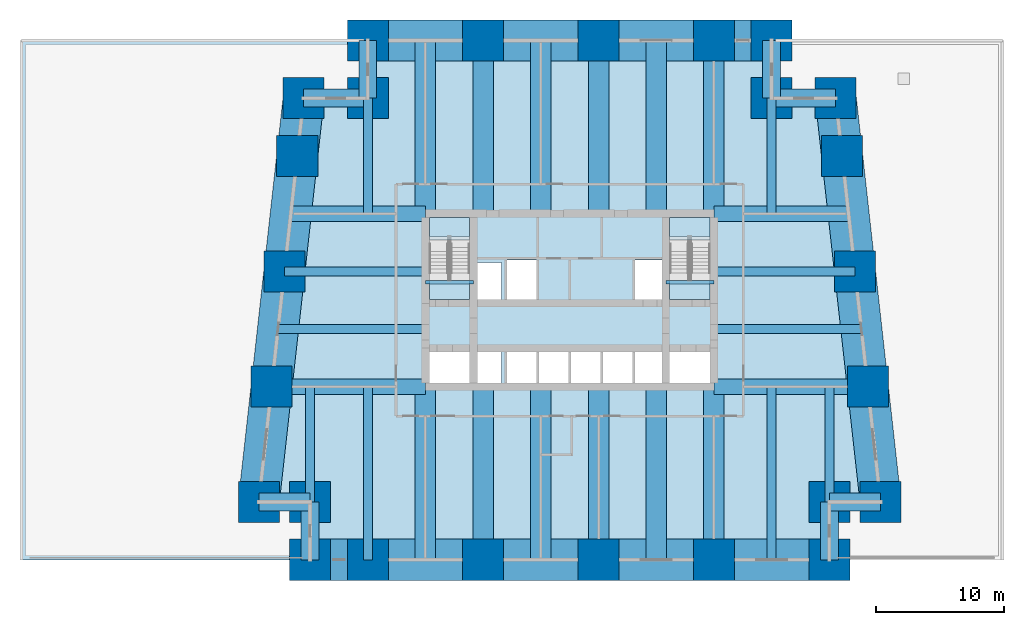
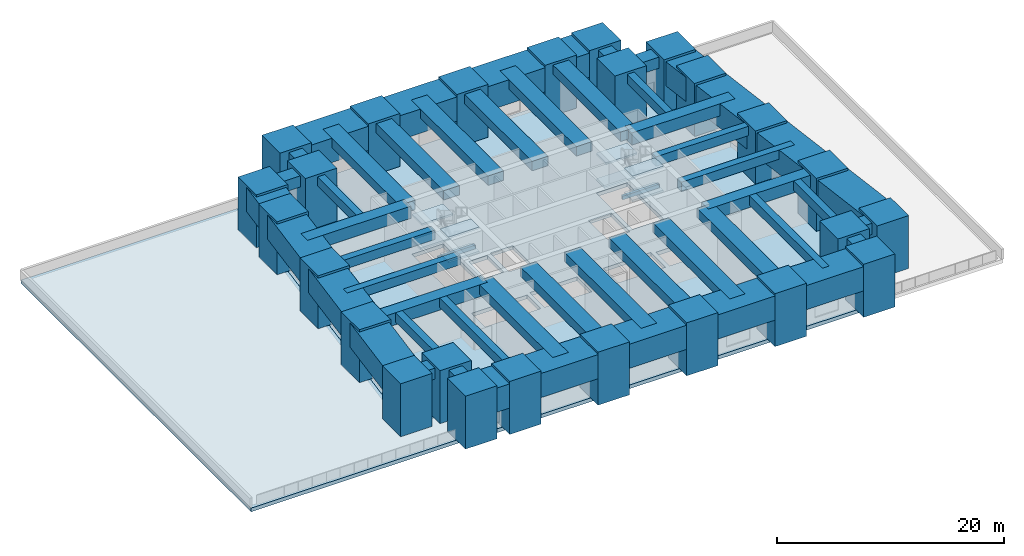
# One storey, part 1 of 7: 53 beams, 25 columns, 10 slabs, 2 elements without a shape of their own.
"""IFC4 building model written with IfcOpenShell, lengths in metres."""

from ifc_helpers import new_model, si_unit, direction, frame, origin, origin_2d, place, context, subcontext, project, spatial, polyline, rectangle, outline, extrude, material, layer, layer_set, material_profile, profile_set, type_object, element, aggregate, save


model = new_model("IFC4")

# Units and contexts
model_context = context("Model", 3, precision=1e-05, world=origin(), true_north=direction((0.0, 1.0)))
body_context = subcontext(model_context, "Body", "Model", "MODEL_VIEW")
ifc_project = project(units=[si_unit("LENGTHUNIT", "METRE"), si_unit("AREAUNIT", "SQUARE_METRE"), si_unit("VOLUMEUNIT", "CUBIC_METRE"), si_unit("PLANEANGLEUNIT", "RADIAN"), si_unit("MASSUNIT", "GRAM", prefix="KILO")], contexts=[model_context])

# Site, building, storey
site_placement = place(None, origin())
site = spatial("IfcSite", under=ifc_project, at=site_placement, CompositionType="ELEMENT")
building_placement = place(site_placement, origin())
building = spatial("IfcBuilding", under=site, at=building_placement, Name="Kilele Tower Hotel", CompositionType="ELEMENT")
storey_placement = place(building_placement, frame((0.0, 0.0, 24.0)))
storey = spatial("IfcBuildingStorey", under=building, at=storey_placement, Name="L04", CompositionType="ELEMENT", Elevation=24.0)

# Columns
ifc_material_1 = material(Name="Concrete C80/95", Category="concrete")
ifc_material_profile_1 = material_profile(ifc_material_1, rectangle(XDim=3.199951171875, YDim=3.199951171875, at=origin_2d()))
ifc_profile_set_1 = profile_set([ifc_material_profile_1], Name="Concrete C80/95")
column_type = type_object("IfcColumnType", Name="Mega column RC 3200x3200 C80/95", PredefinedType="COLUMN", material=ifc_profile_set_1)
for number, where, z_axis, x_axis, name in (
    (1, (0.5, 4.5, 0.0), (0.0, 0.0, 1.0), (1.0, 0.0, 0.0), "Column MC1 L04"),
    (2, (4.5, 4.5, 0.0), (0.0, 0.0, 1.0), (1.0, 0.0, 0.0), "Column MC1 L04"),
    (3, (4.5, 0.0, 0.0), (0.0, 0.0, 1.0), (1.0, 0.0, 0.0), "Column MC1 L04"),
    (4, (9.0, 0.0, 0.0), (0.0, 0.0, 1.0), (1.0, 0.0, 0.0), "Column MC1 L04"),
    (5, (18.0, 0.0, 0.0), (0.0, 0.0, 1.0), (1.0, 0.0, 0.0), "Column MC1 L04"),
    (6, (27.0, 0.0, 0.0), (0.0, 0.0, 1.0), (1.0, 0.0, 0.0), "Column MC1 L04"),
    (7, (36.0, 0.0, 0.0), (0.0, 0.0, 1.0), (1.0, 0.0, 0.0), "Column MC1 L04"),
    (8, (45.0, 0.0, 0.0), (0.0, 0.0, 1.0), (1.0, 0.0, 0.0), "Column MC1 L04"),
    (9, (45.0, 4.5, 0.0), (0.0, 0.0, 1.0), (1.0, 0.0, 0.0), "Column MC1 L04"),
    (10, (49.0, 4.5, 0.0), (0.0, 0.0, 1.0), (1.0, 0.0, 0.0), "Column MC1 L04"),
    (11, (48.0, 13.5, 0.0), (0.0, 0.0, 1.0), (1.0, 0.0, 0.0), "Column MC1 L04"),
    (12, (47.0, 22.5, 0.0), (0.0, 0.0, 1.0), (1.0, 0.0, 0.0), "Column MC1 L04"),
    (13, (46.0, 31.5, 0.0), (0.0, 0.0, 1.0), (1.0, 0.0, 0.0), "Column MC1 L04"),
    (14, (45.5, 36.0, 0.0), (0.0, 0.0, 1.0), (1.0, 0.0, 0.0), "Column MC1 L04"),
    (15, (40.5, 36.0, 0.0), (0.0, 0.0, 1.0), (1.0, 0.0, 0.0), "Column MC1 L04"),
    (16, (40.5, 40.5, 0.0), (0.0, 0.0, 1.0), (1.0, 0.0, 0.0), "Column MC1 L04"),
    (17, (36.0, 40.5, 0.0), (0.0, 0.0, 1.0), (1.0, 0.0, 0.0), "Column MC1 L04"),
    (18, (27.0, 40.5, 0.0), (0.0, 0.0, 1.0), (1.0, 0.0, 0.0), "Column MC1 L04"),
    (19, (18.0, 40.5, 0.0), (0.0, 0.0, 1.0), (1.0, 0.0, 0.0), "Column MC1 L04"),
    (20, (9.0, 40.5, 0.0), (0.0, 0.0, 1.0), (1.0, 0.0, 0.0), "Column MC1 L04"),
    (21, (9.0, 36.0, 0.0), (0.0, 0.0, 1.0), (1.0, 0.0, 0.0), "Column MC1 L04"),
    (22, (4.0, 36.0, 0.0), (0.0, 0.0, 1.0), (1.0, 0.0, 0.0), "Column MC1 L04"),
    (23, (3.5, 31.5, 0.0), (0.0, 0.0, 1.0), (1.0, 0.0, 0.0), "Column MC1 L04"),
    (24, (2.5, 22.5, 0.0), (0.0, 0.0, 1.0), (1.0, 0.0, 0.0), "Column MC1 L04"),
    (25, (1.5, 13.5, 0.0), (0.0, 0.0, 1.0), (1.0, 0.0, 0.0), "Column MC1 L04"),
):
    element("IfcColumn", number, at=place(storey_placement, frame(where, z_axis=z_axis, x_axis=x_axis)), inside=storey, type_object=column_type, Name=name, PredefinedType="COLUMN", context=body_context, shape_type="SweptSolid", body=[
        extrude(rectangle(XDim=3.199951171875, YDim=3.199951171875, at=origin_2d()), origin(), (0.0, 0.0, 1.0), 5.699951171875),
    ])

# Beams
ifc_material_2 = material(Name="Concrete C60/75", Category="concrete")
ifc_material_profile_2 = material_profile(ifc_material_2, rectangle(XDim=1.60009765625, YDim=1.0, at=origin_2d()))
ifc_profile_set_2 = profile_set([ifc_material_profile_2], Name="Concrete C60/75")
beam_type_1 = type_object("IfcBeamType", Name="Beam RC 1600x1000 C60/75", PredefinedType="BEAM", material=ifc_profile_set_2)
for number, where, z_axis, x_axis, name in (
    (26, (13.5, 0.0, 4.949951171875), (0.0, 1.0, 0.0), (-1.0, 0.0, 0.0), "Beam BC1 level L05"),
    (27, (18.0, 0.0, 4.949951171875), (0.0, 1.0, 0.0), (-1.0, 0.0, 0.0), "Beam BC1 level L05"),
    (28, (22.5, 0.0, 4.949951171875), (0.0, 1.0, 0.0), (-1.0, 0.0, 0.0), "Beam BC1 level L05"),
    (29, (27.0, 0.0, 4.949951171875), (0.0, 1.0, 0.0), (-1.0, 0.0, 0.0), "Beam BC1 level L05"),
    (30, (31.5, 0.0, 4.949951171875), (0.0, 1.0, 0.0), (-1.0, 0.0, 0.0), "Beam BC1 level L05"),
    (31, (36.0, 0.0, 4.949951171875), (0.0, 1.0, 0.0), (-1.0, 0.0, 0.0), "Beam BC1 level L05"),
    (32, (36.0, 40.5, 4.949951171875), (0.0, -1.0, 0.0), (1.0, 0.0, 0.0), "Beam BC1 level L05"),
    (33, (31.5, 40.5, 4.949951171875), (0.0, -1.0, 0.0), (1.0, 0.0, 0.0), "Beam BC1 level L05"),
    (34, (27.0, 40.5, 4.949951171875), (0.0, -1.0, 0.0), (1.0, 0.0, 0.0), "Beam BC1 level L05"),
    (35, (22.5, 40.5, 4.949951171875), (0.0, -1.0, 0.0), (1.0, 0.0, 0.0), "Beam BC1 level L05"),
    (36, (18.0, 40.5, 4.949951171875), (0.0, -1.0, 0.0), (1.0, 0.0, 0.0), "Beam BC1 level L05"),
    (37, (13.5, 40.5, 4.949951171875), (0.0, -1.0, 0.0), (1.0, 0.0, 0.0), "Beam BC1 level L05"),
):
    element("IfcBeam", number, at=place(storey_placement, frame(where, z_axis=z_axis, x_axis=x_axis)), inside=storey, type_object=beam_type_1, Name=name, PredefinedType="BEAM", context=body_context, shape_type="SweptSolid", body=[
        extrude(rectangle(XDim=1.60009765625, YDim=1.0, at=origin_2d()), origin(), (0.0, 0.0, 1.0), 13.5),
    ])
ifc_material_3 = material(Name="Concrete C60/75", Category="concrete")
ifc_material_profile_3 = material_profile(ifc_material_3, rectangle(XDim=0.699951171875, YDim=1.0, at=origin_2d()))
ifc_profile_set_3 = profile_set([ifc_material_profile_3], Name="Concrete C60/75")
beam_type_2 = type_object("IfcBeamType", Name="Beam RC 700x1000 C60/75", PredefinedType="BEAM", material=ifc_profile_set_3)
for number, where, z_axis, x_axis, name in (
    (38, (9.0, 0.0, 4.949951171875), (0.0, 1.0, 0.0), (-1.0, 0.0, 0.0), "Beam B4 level L05"),
    (39, (40.5, 0.0, 4.949951171875), (0.0, 1.0, 0.0), (-1.0, 0.0, 0.0), "Beam B4 level L05"),
):
    element("IfcBeam", number, at=place(storey_placement, frame(where, z_axis=z_axis, x_axis=x_axis)), inside=storey, type_object=beam_type_2, Name=name, PredefinedType="BEAM", context=body_context, shape_type="SweptSolid", body=[
        extrude(rectangle(XDim=0.699951171875, YDim=1.0, at=origin_2d()), origin(), (0.0, 0.0, 1.0), 13.5),
    ])
ifc_material_4 = material(Name="Concrete C60/75", Category="concrete")
ifc_material_profile_4 = material_profile(ifc_material_4, rectangle(XDim=0.699951171875, YDim=1.0, at=origin_2d()))
ifc_profile_set_4 = profile_set([ifc_material_profile_4], Name="Concrete C60/75")
beam_type_3 = type_object("IfcBeamType", Name="Beam RC 700x1000 C60/75 mid span", PredefinedType="BEAM", material=ifc_profile_set_4)
for number, where, z_axis, x_axis, name in (
    (40, (4.5, 4.5, 4.949951171875), (0.0, 1.0, 0.0), (-1.0, 0.0, 0.0), "Beam B5 level L05"),
    (41, (45.0, 4.5, 4.949951171875), (0.0, 1.0, 0.0), (-1.0, 0.0, 0.0), "Beam B5 level L05"),
):
    element("IfcBeam", number, at=place(storey_placement, frame(where, z_axis=z_axis, x_axis=x_axis)), inside=storey, type_object=beam_type_3, Name=name, PredefinedType="BEAM", context=body_context, shape_type="SweptSolid", body=[
        extrude(rectangle(XDim=0.699951171875, YDim=1.0, at=origin_2d()), origin(), (0.0, 0.0, 1.0), 9.0),
    ])
beam_1_placement = place(storey_placement, frame((47.5, 18.0, 4.949951171875), z_axis=(-1.0, 0.0, 0.0), x_axis=(0.0, -1.0, 0.0)))
element("IfcBeam", 42, at=beam_1_placement, inside=storey, type_object=beam_type_3, Name="Beam B5 level L05", PredefinedType="BEAM", context=body_context, shape_type="SweptSolid", body=[
    extrude(rectangle(XDim=0.699951171875, YDim=1.0, at=origin_2d()), origin(), (0.0, 0.0, 1.0), 11.5),
])
beam_2_placement = place(storey_placement, frame((47.0, 22.5, 4.949951171875), z_axis=(-1.0, 0.0, 0.0), x_axis=(0.0, -1.0, 0.0)))
element("IfcBeam", 43, at=beam_2_placement, inside=storey, type_object=beam_type_3, Name="Beam B5 level L05", PredefinedType="BEAM", context=body_context, shape_type="SweptSolid", body=[
    extrude(rectangle(XDim=0.699951171875, YDim=1.0, at=origin_2d()), origin(), (0.0, 0.0, 1.0), 11.0),
])
for number, where, z_axis, x_axis, name in (
    (44, (40.5, 36.0, 4.949951171875), (0.0, -1.0, 0.0), (1.0, 0.0, 0.0), "Beam B5 level L05"),
    (45, (9.0, 36.0, 4.949951171875), (0.0, -1.0, 0.0), (1.0, 0.0, 0.0), "Beam B5 level L05"),
):
    element("IfcBeam", number, at=place(storey_placement, frame(where, z_axis=z_axis, x_axis=x_axis)), inside=storey, type_object=beam_type_3, Name=name, PredefinedType="BEAM", context=body_context, shape_type="SweptSolid", body=[
        extrude(rectangle(XDim=0.699951171875, YDim=1.0, at=origin_2d()), origin(), (0.0, 0.0, 1.0), 9.0),
    ])
beam_3_placement = place(storey_placement, frame((2.5, 22.5, 4.949951171875), z_axis=(1.0, 0.0, 0.0), x_axis=(0.0, 1.0, 0.0)))
element("IfcBeam", 46, at=beam_3_placement, inside=storey, type_object=beam_type_3, Name="Beam B5 level L05", PredefinedType="BEAM", context=body_context, shape_type="SweptSolid", body=[
    extrude(rectangle(XDim=0.699951171875, YDim=1.0, at=origin_2d()), origin(), (0.0, 0.0, 1.0), 11.0),
])
beam_4_placement = place(storey_placement, frame((2.0, 18.0, 4.949951171875), z_axis=(1.0, 0.0, 0.0), x_axis=(0.0, 1.0, 0.0)))
element("IfcBeam", 47, at=beam_4_placement, inside=storey, type_object=beam_type_3, Name="Beam B5 level L05", PredefinedType="BEAM", context=body_context, shape_type="SweptSolid", body=[
    extrude(rectangle(XDim=0.699951171875, YDim=1.0, at=origin_2d()), origin(), (0.0, 0.0, 1.0), 11.5),
])
ifc_material_5 = material(Name="Concrete C60/75", Category="concrete")
ifc_material_profile_5 = material_profile(ifc_material_5, rectangle(XDim=1.199951171875, YDim=1.300048828125, at=origin_2d()))
ifc_profile_set_5 = profile_set([ifc_material_profile_5], Name="Concrete C60/75")
beam_type_4 = type_object("IfcBeamType", Name="Girder RC 1200x1300 C60/75", PredefinedType="BEAM", material=ifc_profile_set_5)
for number, where, z_axis, x_axis, name in (
    (48, (48.0, 13.5, 4.800048828125), (-1.0, 0.0, 0.0), (0.0, -1.0, 0.0), "Girder G1 level L05"),
    (49, (1.5, 13.5, 4.800048828125), (1.0, 0.0, 0.0), (0.0, 1.0, 0.0), "Girder G1 level L05"),
):
    element("IfcBeam", number, at=place(storey_placement, frame(where, z_axis=z_axis, x_axis=x_axis)), inside=storey, type_object=beam_type_4, Name=name, PredefinedType="BEAM", context=body_context, shape_type="SweptSolid", body=[
        extrude(rectangle(XDim=1.199951171875, YDim=1.300048828125, at=origin_2d()), origin(), (0.0, 0.0, 1.0), 12.0),
    ])
ifc_material_6 = material(Name="Concrete C60/75", Category="concrete")
ifc_material_profile_6 = material_profile(ifc_material_6, rectangle(XDim=1.199951171875, YDim=1.300048828125, at=origin_2d()))
ifc_profile_set_6 = profile_set([ifc_material_profile_6], Name="Concrete C60/75")
beam_type_5 = type_object("IfcBeamType", Name="Girder RC 1200x1300 C60/75 mid span", PredefinedType="BEAM", material=ifc_profile_set_6)
for number, where, z_axis, x_axis, name in (
    (50, (46.5, 27.0, 4.800048828125), (-1.0, 0.0, 0.0), (0.0, -1.0, 0.0), "Girder G3 level L05"),
    (51, (3.0, 27.0, 4.800048828125), (1.0, 0.0, 0.0), (0.0, 1.0, 0.0), "Girder G3 level L05"),
):
    element("IfcBeam", number, at=place(storey_placement, frame(where, z_axis=z_axis, x_axis=x_axis)), inside=storey, type_object=beam_type_5, Name=name, PredefinedType="BEAM", context=body_context, shape_type="SweptSolid", body=[
        extrude(rectangle(XDim=1.199951171875, YDim=1.300048828125, at=origin_2d()), origin(), (0.0, 0.0, 1.0), 10.5),
    ])
ifc_material_7 = material(Name="Concrete C40/50", Category="concrete")
ifc_material_profile_7 = material_profile(ifc_material_7, rectangle(XDim=0.25, YDim=0.39990234375, at=origin_2d()))
ifc_profile_set_7 = profile_set([ifc_material_profile_7], Name="Concrete C40/50")
beam_type_6 = type_object("IfcBeamType", Name="Landing beam RC 250x400 C40/50", PredefinedType="BEAM", material=ifc_profile_set_7)
for number, where, z_axis, x_axis, name in (
    (52, (13.5, 21.64990234375, 2.708984375), (1.0, 0.0, 0.0), (0.0, 1.0, 0.0), "Landing beam ST1 L04"),
    (53, (32.25, 21.64990234375, 2.708984375), (1.0, 0.0, 0.0), (0.0, 1.0, 0.0), "Landing beam ST2 L04"),
):
    element("IfcBeam", number, at=place(storey_placement, frame(where, z_axis=z_axis, x_axis=x_axis)), inside=storey, type_object=beam_type_6, Name=name, PredefinedType="BEAM", context=body_context, shape_type="SweptSolid", body=[
        extrude(rectangle(XDim=0.25, YDim=0.39990234375, at=origin_2d()), origin(), (0.0, 0.0, 1.0), 3.75),
    ])
ifc_material_8 = material(Name="Concrete C60/75", Category="concrete")
ifc_material_profile_8 = material_profile(ifc_material_8, rectangle(XDim=1.39990234375, YDim=1.199951171875, at=origin_2d()))
ifc_profile_set_8 = profile_set([ifc_material_profile_8], Name="Concrete C60/75")
beam_type_7 = type_object("IfcBeamType", Name="Spandrel RC 1400x1200 C60/75", PredefinedType="SPANDREL", material=ifc_profile_set_8)
beam_5_placement = place(storey_placement, frame((0.5, 4.5, 4.85009765625), z_axis=(1.0, 0.0, 0.0), x_axis=(0.0, 1.0, 0.0)))
element("IfcBeam", 54, at=beam_5_placement, inside=storey, type_object=beam_type_7, Name="Spandrel SP10 level L05", PredefinedType="SPANDREL", context=body_context, shape_type="SweptSolid", body=[
    extrude(rectangle(XDim=1.39990234375, YDim=1.199951171875, at=origin_2d()), origin(), (0.0, 0.0, 1.0), 4.0),
])
for number, where, z_axis, x_axis, name in (
    (55, (4.5, 4.5, 4.85009765625), (0.0, -1.0, 0.0), (1.0, 0.0, 0.0), "Spandrel SP10 level L05"),
    (56, (45.0, 0.0, 4.85009765625), (0.0, 1.0, 0.0), (-1.0, 0.0, 0.0), "Spandrel SP10 level L05"),
):
    element("IfcBeam", number, at=place(storey_placement, frame(where, z_axis=z_axis, x_axis=x_axis)), inside=storey, type_object=beam_type_7, Name=name, PredefinedType="SPANDREL", context=body_context, shape_type="SweptSolid", body=[
        extrude(rectangle(XDim=1.39990234375, YDim=1.199951171875, at=origin_2d()), origin(), (0.0, 0.0, 1.0), 4.5),
    ])
beam_6_placement = place(storey_placement, frame((45.0, 4.5, 4.85009765625), z_axis=(1.0, 0.0, 0.0), x_axis=(0.0, 1.0, 0.0)))
element("IfcBeam", 57, at=beam_6_placement, inside=storey, type_object=beam_type_7, Name="Spandrel SP10 level L05", PredefinedType="SPANDREL", context=body_context, shape_type="SweptSolid", body=[
    extrude(rectangle(XDim=1.39990234375, YDim=1.199951171875, at=origin_2d()), origin(), (0.0, 0.0, 1.0), 4.0),
])
beam_7_placement = place(storey_placement, frame((45.5, 36.0, 4.85009765625), z_axis=(-1.0, 0.0, 0.0), x_axis=(0.0, -1.0, 0.0)))
element("IfcBeam", 58, at=beam_7_placement, inside=storey, type_object=beam_type_7, Name="Spandrel SP10 level L05", PredefinedType="SPANDREL", context=body_context, shape_type="SweptSolid", body=[
    extrude(rectangle(XDim=1.39990234375, YDim=1.199951171875, at=origin_2d()), origin(), (0.0, 0.0, 1.0), 5.0),
])
for number, where, z_axis, x_axis, name in (
    (59, (40.5, 36.0, 4.85009765625), (0.0, 1.0, 0.0), (-1.0, 0.0, 0.0), "Spandrel SP10 level L05"),
    (60, (9.0, 40.5, 4.85009765625), (0.0, -1.0, 0.0), (1.0, 0.0, 0.0), "Spandrel SP10 level L05"),
):
    element("IfcBeam", number, at=place(storey_placement, frame(where, z_axis=z_axis, x_axis=x_axis)), inside=storey, type_object=beam_type_7, Name=name, PredefinedType="SPANDREL", context=body_context, shape_type="SweptSolid", body=[
        extrude(rectangle(XDim=1.39990234375, YDim=1.199951171875, at=origin_2d()), origin(), (0.0, 0.0, 1.0), 4.5),
    ])
beam_8_placement = place(storey_placement, frame((9.0, 36.0, 4.85009765625), z_axis=(-1.0, 0.0, 0.0), x_axis=(0.0, -1.0, 0.0)))
element("IfcBeam", 61, at=beam_8_placement, inside=storey, type_object=beam_type_7, Name="Spandrel SP10 level L05", PredefinedType="SPANDREL", context=body_context, shape_type="SweptSolid", body=[
    extrude(rectangle(XDim=1.39990234375, YDim=1.199951171875, at=origin_2d()), origin(), (0.0, 0.0, 1.0), 5.0),
])
ifc_material_9 = material(Name="Concrete C60/75", Category="concrete")
ifc_material_profile_9 = material_profile(ifc_material_9, rectangle(XDim=3.199951171875, YDim=2.60009765625, at=origin_2d()))
ifc_profile_set_9 = profile_set([ifc_material_profile_9], Name="Concrete C60/75")
beam_type_8 = type_object("IfcBeamType", Name="Spandrel RC 3200x2600 C60/75", PredefinedType="SPANDREL", material=ifc_profile_set_9)
beam_9_placement = place(storey_placement, frame((4.5, 0.0, 4.14990234375), z_axis=(1.0, 0.0, 0.0), x_axis=(0.0, 1.0, 0.0)))
element("IfcBeam", 62, at=beam_9_placement, inside=storey, type_object=beam_type_8, Name="Spandrel SP17 level L05", PredefinedType="SPANDREL", context=body_context, shape_type="SweptSolid", body=[
    extrude(rectangle(XDim=3.199951171875, YDim=2.60009765625, at=origin_2d()), origin(), (0.0, 0.0, 1.0), 4.5),
])
beam_10_placement = place(storey_placement, frame((46.0, 31.5, 4.14990234375), z_axis=(-0.110431526075, 0.993883734674, 0.0), x_axis=(-0.993883734674, -0.110431526075, 0.0)))
element("IfcBeam", 63, at=beam_10_placement, inside=storey, type_object=beam_type_8, Name="Spandrel SP17 level L05", PredefinedType="SPANDREL", context=body_context, shape_type="SweptSolid", body=[
    extrude(rectangle(XDim=3.199951171875, YDim=2.60009765625, at=origin_2d()), origin(), (0.0, 0.0, 1.0), 4.527587890625),
])
beam_11_placement = place(storey_placement, frame((40.5, 40.5, 4.14990234375), z_axis=(-1.0, 0.0, 0.0), x_axis=(0.0, -1.0, 0.0)))
element("IfcBeam", 64, at=beam_11_placement, inside=storey, type_object=beam_type_8, Name="Spandrel SP17 level L05", PredefinedType="SPANDREL", context=body_context, shape_type="SweptSolid", body=[
    extrude(rectangle(XDim=3.199951171875, YDim=2.60009765625, at=origin_2d()), origin(), (0.0, 0.0, 1.0), 4.5),
])
beam_12_placement = place(storey_placement, frame((4.0, 36.0, 4.14990234375), z_axis=(-0.110431526075, -0.993883734674, 0.0), x_axis=(0.993883734674, -0.110431526075, 0.0)))
element("IfcBeam", 65, at=beam_12_placement, inside=storey, type_object=beam_type_8, Name="Spandrel SP17 level L05", PredefinedType="SPANDREL", context=body_context, shape_type="SweptSolid", body=[
    extrude(rectangle(XDim=3.199951171875, YDim=2.60009765625, at=origin_2d()), origin(), (0.0, 0.0, 1.0), 4.527587890625),
])
ifc_material_10 = material(Name="Concrete C60/75", Category="concrete")
ifc_material_profile_10 = material_profile(ifc_material_10, rectangle(XDim=3.199951171875, YDim=2.60009765625, at=origin_2d()))
ifc_profile_set_10 = profile_set([ifc_material_profile_10], Name="Concrete C60/75")
beam_type_9 = type_object("IfcBeamType", Name="Transfer girder RC 3200x2600 C60/75", PredefinedType="USERDEFINED", material=ifc_profile_set_10)
for number, where, z_axis, x_axis, name in (
    (66, (9.0, 0.0, 4.14990234375), (1.0, 0.0, 0.0), (0.0, 1.0, 0.0), "Transfer girder TG3 level L05"),
    (67, (18.0, 0.0, 4.14990234375), (1.0, 0.0, 0.0), (0.0, 1.0, 0.0), "Transfer girder TG3 level L05"),
    (68, (27.0, 0.0, 4.14990234375), (1.0, 0.0, 0.0), (0.0, 1.0, 0.0), "Transfer girder TG3 level L05"),
    (69, (36.0, 0.0, 4.14990234375), (1.0, 0.0, 0.0), (0.0, 1.0, 0.0), "Transfer girder TG3 level L05"),
):
    element("IfcBeam", number, at=place(storey_placement, frame(where, z_axis=z_axis, x_axis=x_axis)), inside=storey, type_object=beam_type_9, Name=name, ObjectType="TRANSFER GIRDER", PredefinedType="USERDEFINED", context=body_context, shape_type="SweptSolid", body=[
        extrude(rectangle(XDim=3.199951171875, YDim=2.60009765625, at=origin_2d()), origin(), (0.0, 0.0, 1.0), 9.0),
    ])
for number, where, z_axis, x_axis, name in (
    (70, (49.0, 4.5, 4.14990234375), (-0.110431526075, 0.993883734674, 0.0), (-0.993883734674, -0.110431526075, 0.0), "Transfer girder TG3 level L05"),
    (71, (48.0, 13.5, 4.14990234375), (-0.110431526075, 0.993883734674, 0.0), (-0.993883734674, -0.110431526075, 0.0), "Transfer girder TG3 level L05"),
    (72, (47.0, 22.5, 4.14990234375), (-0.110431526075, 0.993883734674, 0.0), (-0.993883734674, -0.110431526075, 0.0), "Transfer girder TG3 level L05"),
):
    element("IfcBeam", number, at=place(storey_placement, frame(where, z_axis=z_axis, x_axis=x_axis)), inside=storey, type_object=beam_type_9, Name=name, ObjectType="TRANSFER GIRDER", PredefinedType="USERDEFINED", context=body_context, shape_type="SweptSolid", body=[
        extrude(rectangle(XDim=3.199951171875, YDim=2.60009765625, at=origin_2d()), origin(), (0.0, 0.0, 1.0), 9.055419921875),
    ])
for number, where, z_axis, x_axis, name in (
    (73, (36.0, 40.5, 4.14990234375), (-1.0, 0.0, 0.0), (0.0, -1.0, 0.0), "Transfer girder TG3 level L05"),
    (74, (27.0, 40.5, 4.14990234375), (-1.0, 0.0, 0.0), (0.0, -1.0, 0.0), "Transfer girder TG3 level L05"),
    (75, (18.0, 40.5, 4.14990234375), (-1.0, 0.0, 0.0), (0.0, -1.0, 0.0), "Transfer girder TG3 level L05"),
):
    element("IfcBeam", number, at=place(storey_placement, frame(where, z_axis=z_axis, x_axis=x_axis)), inside=storey, type_object=beam_type_9, Name=name, ObjectType="TRANSFER GIRDER", PredefinedType="USERDEFINED", context=body_context, shape_type="SweptSolid", body=[
        extrude(rectangle(XDim=3.199951171875, YDim=2.60009765625, at=origin_2d()), origin(), (0.0, 0.0, 1.0), 9.0),
    ])
for number, where, z_axis, x_axis, name in (
    (76, (3.5, 31.5, 4.14990234375), (-0.110431526075, -0.993883734674, 0.0), (0.993883734674, -0.110431526075, 0.0), "Transfer girder TG3 level L05"),
    (77, (2.5, 22.5, 4.14990234375), (-0.110431526075, -0.993883734674, 0.0), (0.993883734674, -0.110431526075, 0.0), "Transfer girder TG3 level L05"),
    (78, (1.5, 13.5, 4.14990234375), (-0.110431526075, -0.993883734674, 0.0), (0.993883734674, -0.110431526075, 0.0), "Transfer girder TG3 level L05"),
):
    element("IfcBeam", number, at=place(storey_placement, frame(where, z_axis=z_axis, x_axis=x_axis)), inside=storey, type_object=beam_type_9, Name=name, ObjectType="TRANSFER GIRDER", PredefinedType="USERDEFINED", context=body_context, shape_type="SweptSolid", body=[
        extrude(rectangle(XDim=3.199951171875, YDim=2.60009765625, at=origin_2d()), origin(), (0.0, 0.0, 1.0), 9.055419921875),
    ])

# Slabs
ifc_material_11 = material(Name="Concrete C60/75", Category="concrete")
ifc_layer_1 = layer(ifc_material_11, 0.39990234375)
ifc_layer_set_1 = layer_set([ifc_layer_1], Name="Concrete C60/75")
slab_type_1 = type_object("IfcSlabType", Name="Floor slab 400", PredefinedType="FLOOR", material=ifc_layer_set_1)
slab_1_placement = place(storey_placement, frame((0.0, 0.0, -0.39990234375)))
element("IfcSlab", 79, at=slab_1_placement, inside=storey, type_object=slab_type_1, Name="Floor slab L04", PredefinedType="FLOOR", context=body_context, shape_type="SweptSolid", body=[
    extrude(outline(polyline([(3.7314453125, 36.300048828125), (8.699951171875, 36.300048828125), (8.699951171875, 40.800048828125), (40.800048828125, 40.800048828125), (40.800048828125, 36.300048828125), (45.7685546875, 36.300048828125), (49.335205078125, 4.199951171875), (45.300048828125, 4.199951171875), (45.300048828125, -0.300048828125), (4.199951171875, -0.300048828125), (4.199951171875, 4.199951171875), (0.164794921875, 4.199951171875), (3.7314453125, 36.300048828125)]), holes=[polyline([(16.949951171875, 16.199951171875), (13.800048828125, 16.199951171875), (13.800048828125, 13.800048828125), (16.949951171875, 13.800048828125), (16.949951171875, 16.199951171875)]), polyline([(19.449951171875, 13.800048828125), (19.449951171875, 16.199951171875), (17.550048828125, 16.199951171875), (17.550048828125, 13.800048828125), (19.449951171875, 13.800048828125)]), polyline([(22.14990234375, 13.800048828125), (22.14990234375, 16.39990234375), (19.85009765625, 16.39990234375), (19.85009765625, 13.800048828125), (22.14990234375, 13.800048828125)]), polyline([(24.64990234375, 16.39990234375), (22.35009765625, 16.39990234375), (22.35009765625, 13.800048828125), (24.64990234375, 13.800048828125), (24.64990234375, 16.39990234375)]), polyline([(19.449951171875, 20.300048828125), (19.449951171875, 23.199951171875), (17.550048828125, 23.199951171875), (17.550048828125, 20.300048828125), (19.449951171875, 20.300048828125)]), polyline([(22.14990234375, 20.10009765625), (22.14990234375, 23.39990234375), (19.85009765625, 23.39990234375), (19.85009765625, 20.10009765625), (22.14990234375, 20.10009765625)]), polyline([(16.949951171875, 26.699951171875), (13.800048828125, 26.699951171875), (13.800048828125, 20.300048828125), (16.949951171875, 20.300048828125), (16.949951171875, 26.699951171875)]), polyline([(35.699951171875, 13.800048828125), (35.699951171875, 16.199951171875), (32.550048828125, 16.199951171875), (32.550048828125, 13.800048828125), (35.699951171875, 13.800048828125)]), polyline([(27.14990234375, 13.800048828125), (27.14990234375, 16.39990234375), (24.85009765625, 16.39990234375), (24.85009765625, 13.800048828125), (27.14990234375, 13.800048828125)]), polyline([(29.64990234375, 13.800048828125), (29.64990234375, 16.39990234375), (27.35009765625, 16.39990234375), (27.35009765625, 13.800048828125), (29.64990234375, 13.800048828125)]), polyline([(32.14990234375, 13.800048828125), (32.14990234375, 16.39990234375), (29.85009765625, 16.39990234375), (29.85009765625, 13.800048828125), (32.14990234375, 13.800048828125)]), polyline([(32.14990234375, 20.10009765625), (32.14990234375, 23.39990234375), (29.85009765625, 23.39990234375), (29.85009765625, 20.10009765625), (32.14990234375, 20.10009765625)]), polyline([(35.699951171875, 20.300048828125), (35.699951171875, 26.699951171875), (32.550048828125, 26.699951171875), (32.550048828125, 20.300048828125), (35.699951171875, 20.300048828125)])]), origin(), (0.0, 0.0, 1.0), 0.39990234375),
])
ifc_material_12 = material(Name="Concrete C60/75", Category="concrete")
ifc_layer_2 = layer(ifc_material_12, 0.39990234375)
ifc_layer_set_2 = layer_set([ifc_layer_2], Name="Concrete C60/75")
slab_type_2 = type_object("IfcSlabType", Name="Roof slab 400", PredefinedType="ROOF", material=ifc_layer_set_2)
slab_2_placement = place(storey_placement, frame((0.0, 0.0, -0.39990234375)))
element("IfcSlab", 80, at=slab_2_placement, inside=storey, type_object=slab_type_2, Name="Roof slab level L04", PredefinedType="ROOF", context=body_context, shape_type="SweptSolid", body=[
    extrude(outline(polyline([(-18.0, 0.0), (-18.0, 40.5), (8.698974609375, 40.5), (8.698974609375, 36.301025390625), (3.7314453125, 36.301025390625), (3.7314453125, 36.301025390625), (3.731201171875, 36.301025390625), (3.731201171875, 36.301025390625), (3.731201171875, 36.30078125), (3.73095703125, 36.30078125), (3.73095703125, 36.30078125), (3.73095703125, 36.30078125), (3.730712890625, 36.30078125), (3.730712890625, 36.300537109375), (3.730712890625, 36.300537109375), (3.730712890625, 36.300537109375), (3.730712890625, 36.30029296875), (3.73046875, 36.30029296875), (3.73046875, 36.30029296875), (3.73046875, 36.300048828125), (0.163818359375, 4.2001953125), (0.163818359375, 4.199951171875), (0.163818359375, 4.199951171875), (0.163818359375, 4.19970703125), (0.163818359375, 4.19970703125), (0.163818359375, 4.19970703125), (0.163818359375, 4.199462890625), (0.1640625, 4.199462890625), (0.1640625, 4.199462890625), (0.1640625, 4.19921875), (0.164306640625, 4.19921875), (0.164306640625, 4.19921875), (0.164306640625, 4.19921875), (0.164306640625, 4.19921875), (0.16455078125, 4.198974609375), (0.16455078125, 4.198974609375), (0.164794921875, 4.198974609375), (0.164794921875, 4.198974609375), (4.198974609375, 4.198974609375), (4.198974609375, 0.0), (-18.0, 0.0)])), origin(), (0.0, 0.0, 1.0), 0.39990234375),
])

# Stair, slabs
ifc_material_13 = material(Name="Precast concrete C40/50", Category="concrete")
stair_type = type_object("IfcStairType", Name="Stair 1475 x 5700", PredefinedType="HALF_TURN_STAIR", material=ifc_material_13)
stair_1_placement = place(storey_placement, origin())
stair_1 = element("IfcStair", 81, at=stair_1_placement, inside=storey, type_object=stair_type, Name="Stair 1 L04", PredefinedType="HALF_TURN_STAIR")
ifc_material_14 = material(Name="Precast concrete C40/50", Category="concrete")
ifc_layer_3 = layer(ifc_material_14, 0.199951171875)
ifc_layer_set_3 = layer_set([ifc_layer_3], Name="Precast concrete C40/50")
slab_type_3 = type_object("IfcSlabType", Name="Stair landing 200", PredefinedType="LANDING", material=ifc_layer_set_3)
slab_3_placement = place(storey_placement, frame((0.0, 0.0, 1.3544921875)))
slab_3 = element("IfcSlab", 82, at=slab_3_placement, type_object=slab_type_3, Name="ST1 landing 1", PredefinedType="LANDING", context=body_context, shape_type="SweptSolid", body=[
    extrude(outline(polyline([(13.800048828125, 25.22509765625), (16.949951171875, 25.22509765625), (16.949951171875, 26.699951171875), (13.800048828125, 26.699951171875), (13.800048828125, 25.22509765625)])), origin(), (0.0, 0.0, 1.0), 0.199951171875),
])
slab_4_placement = place(storey_placement, frame((0.0, 0.0, 2.9091796875)))
slab_4 = element("IfcSlab", 83, at=slab_4_placement, type_object=slab_type_3, Name="ST1 landing 2", PredefinedType="LANDING", context=body_context, shape_type="SweptSolid", body=[
    extrude(outline(polyline([(13.800048828125, 20.300048828125), (16.949951171875, 20.300048828125), (16.949951171875, 21.77490234375), (13.800048828125, 21.77490234375), (13.800048828125, 20.300048828125)])), origin(), (0.0, 0.0, 1.0), 0.199951171875),
])
slab_5_placement = place(storey_placement, frame((0.0, 0.0, 4.1181640625)))
slab_5 = element("IfcSlab", 84, at=slab_5_placement, type_object=slab_type_3, Name="ST1 landing 3", PredefinedType="LANDING", context=body_context, shape_type="SweptSolid", body=[
    extrude(outline(polyline([(13.800048828125, 24.945068359375), (16.949951171875, 24.945068359375), (16.949951171875, 26.699951171875), (13.800048828125, 26.699951171875), (13.800048828125, 24.945068359375)])), origin(), (0.0, 0.0, 1.0), 0.199951171875),
])
slab_6_placement = place(storey_placement, frame((0.0, 0.0, 5.5)))
slab_6 = element("IfcSlab", 85, at=slab_6_placement, type_object=slab_type_3, Name="ST1 landing 4", PredefinedType="LANDING", context=body_context, shape_type="SweptSolid", body=[
    extrude(outline(polyline([(13.800048828125, 20.300048828125), (16.949951171875, 20.300048828125), (16.949951171875, 21.77490234375), (13.800048828125, 21.77490234375), (13.800048828125, 20.300048828125)])), origin(), (0.0, 0.0, 1.0), 0.199951171875),
])
aggregate(stair_1, [slab_3, slab_4, slab_5, slab_6])

stair_2_placement = place(storey_placement, origin())
stair_2 = element("IfcStair", 86, at=stair_2_placement, inside=storey, type_object=stair_type, Name="Stair 2 L04", PredefinedType="HALF_TURN_STAIR")
slab_7_placement = place(storey_placement, frame((0.0, 0.0, 1.3544921875)))
slab_7 = element("IfcSlab", 87, at=slab_7_placement, type_object=slab_type_3, Name="ST2 landing 1", PredefinedType="LANDING", context=body_context, shape_type="SweptSolid", body=[
    extrude(outline(polyline([(32.550048828125, 25.22509765625), (35.699951171875, 25.22509765625), (35.699951171875, 26.699951171875), (32.550048828125, 26.699951171875), (32.550048828125, 25.22509765625)])), origin(), (0.0, 0.0, 1.0), 0.199951171875),
])
slab_8_placement = place(storey_placement, frame((0.0, 0.0, 2.9091796875)))
slab_8 = element("IfcSlab", 88, at=slab_8_placement, type_object=slab_type_3, Name="ST2 landing 2", PredefinedType="LANDING", context=body_context, shape_type="SweptSolid", body=[
    extrude(outline(polyline([(32.550048828125, 20.300048828125), (35.699951171875, 20.300048828125), (35.699951171875, 21.77490234375), (32.550048828125, 21.77490234375), (32.550048828125, 20.300048828125)])), origin(), (0.0, 0.0, 1.0), 0.199951171875),
])
slab_9_placement = place(storey_placement, frame((0.0, 0.0, 4.1181640625)))
slab_9 = element("IfcSlab", 89, at=slab_9_placement, type_object=slab_type_3, Name="ST2 landing 3", PredefinedType="LANDING", context=body_context, shape_type="SweptSolid", body=[
    extrude(outline(polyline([(32.550048828125, 24.945068359375), (35.699951171875, 24.945068359375), (35.699951171875, 26.699951171875), (32.550048828125, 26.699951171875), (32.550048828125, 24.945068359375)])), origin(), (0.0, 0.0, 1.0), 0.199951171875),
])
slab_10_placement = place(storey_placement, frame((0.0, 0.0, 5.5)))
slab_10 = element("IfcSlab", 90, at=slab_10_placement, type_object=slab_type_3, Name="ST2 landing 4", PredefinedType="LANDING", context=body_context, shape_type="SweptSolid", body=[
    extrude(outline(polyline([(32.550048828125, 20.300048828125), (35.699951171875, 20.300048828125), (35.699951171875, 21.77490234375), (32.550048828125, 21.77490234375), (32.550048828125, 20.300048828125)])), origin(), (0.0, 0.0, 1.0), 0.199951171875),
])
aggregate(stair_2, [slab_7, slab_8, slab_9, slab_10])

save(model, "model.ifc")
